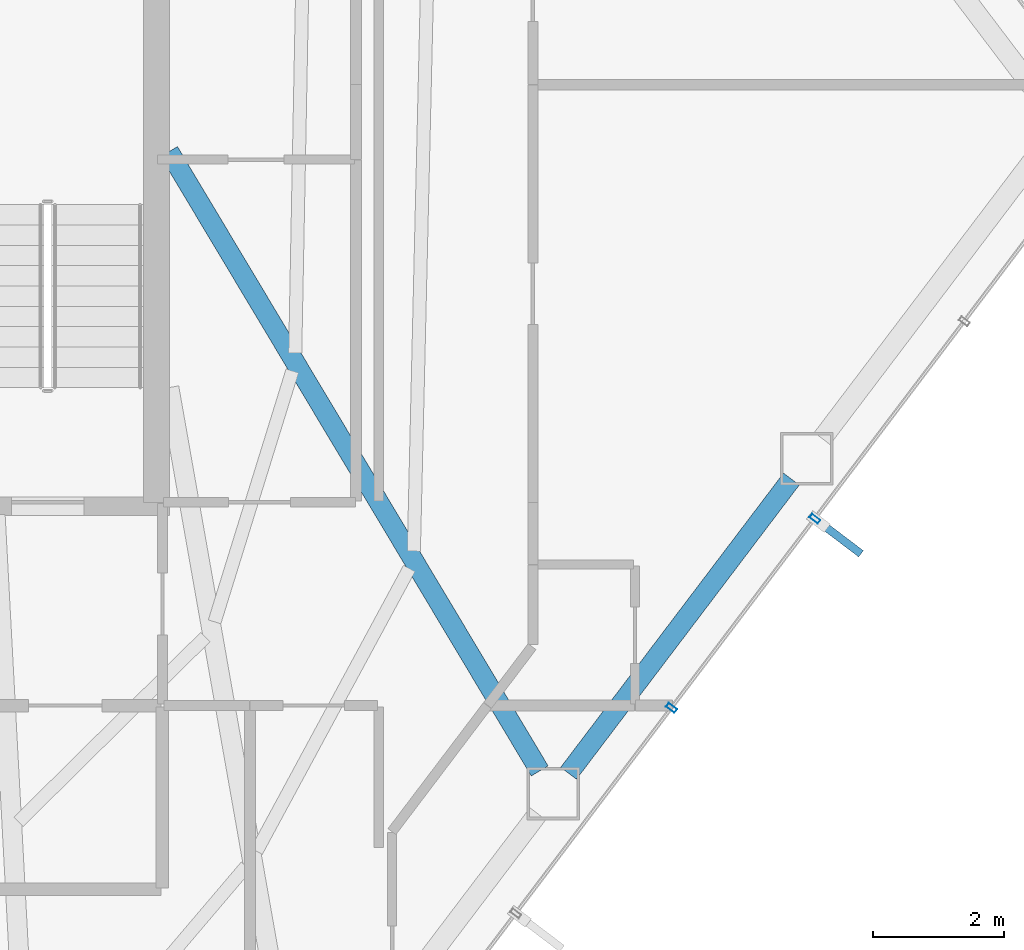
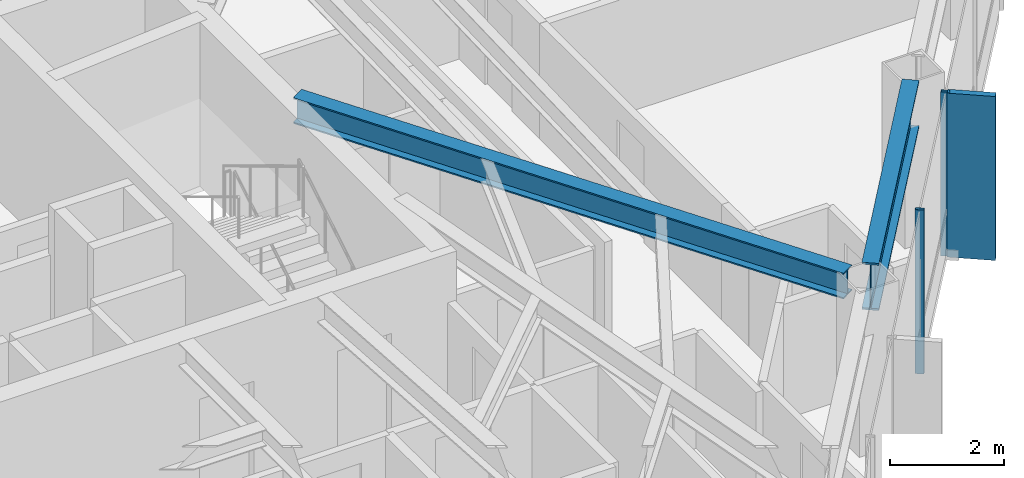
# One storey, part 19 of 29: 3 members, 2 beams, 1 element without a shape of its own.
"""IFC4 building model written with IfcOpenShell, lengths in metres."""

from ifc_helpers import new_model, si_unit, direction, frame, origin, origin_2d, place, context, subcontext, project, spatial, rectangle, hollow_rectangle, i_section, extrude, material, layer, layer_set, material_profile, profile_set, type_object, element, aggregate, save


model = new_model("IFC4")

# Units and contexts
model_context = context("Model", 3, precision=1e-05, world=origin(), true_north=direction((0.0, 1.0)))
body_context = subcontext(model_context, "Body", "Model", "MODEL_VIEW")
ifc_project = project(units=[si_unit("LENGTHUNIT", "METRE"), si_unit("AREAUNIT", "SQUARE_METRE"), si_unit("VOLUMEUNIT", "CUBIC_METRE"), si_unit("PLANEANGLEUNIT", "RADIAN"), si_unit("MASSUNIT", "GRAM", prefix="KILO")], contexts=[model_context])

# Site, building, storey
site_placement = place(None, origin())
site = spatial("IfcSite", under=ifc_project, at=site_placement, CompositionType="ELEMENT")
building_placement = place(site_placement, origin())
building = spatial("IfcBuilding", under=site, at=building_placement, Name="Zarrinselat Tower", CompositionType="ELEMENT")
storey_placement = place(building_placement, frame((0.0, 0.0, 138.3798828125)))
storey = spatial("IfcBuildingStorey", under=building, at=storey_placement, Name="L33", CompositionType="ELEMENT", Elevation=138.3798828125)

# Beams
ifc_material_1 = material(Name="Steel S355J2", Category="steel")
ifc_material_profile_1 = material_profile(ifc_material_1, i_section(OverallWidth=0.300048828125, OverallDepth=0.550048828125, WebThickness=0.014892578125, FlangeThickness=0.029052734375, at=origin_2d()), Name="HEB 550")
ifc_profile_set_1 = profile_set([ifc_material_profile_1], Name="Steel S355J2")
beam_type_1 = type_object("IfcBeamType", Name="BM-HEB550", PredefinedType="BEAM", material=ifc_profile_set_1)
beam_1_placement = place(storey_placement, frame((48.449951171875, 38.60009765625, 3.22509765625), z_axis=(0.513539974611, -0.858065670259, 0.0), x_axis=(0.858065670259, 0.513539974611, 0.0)))
element("IfcBeam", 1, at=beam_1_placement, inside=storey, type_object=beam_type_1, Name="L33 Radial Primary Girder RG13", PredefinedType="BEAM", context=body_context, shape_type="SweptSolid", body=[
    extrude(i_section(OverallWidth=0.300048828125, OverallDepth=0.550048828125, WebThickness=0.014892578125, FlangeThickness=0.029052734375, at=origin_2d()), origin(), (0.0, 0.0, 1.0), 11.010009765625),
])
ifc_material_2 = material(Name="Steel S460M", Category="steel")
ifc_material_profile_2 = material_profile(ifc_material_2, i_section(OverallWidth=0.302001953125, OverallDepth=1.008056640625, WebThickness=0.02099609375, FlangeThickness=0.0400390625, at=origin_2d()), Name="HEM 1000")
ifc_profile_set_2 = profile_set([ifc_material_profile_2], Name="Steel S460M")
beam_type_2 = type_object("IfcBeamType", Name="BM-HEM1000", PredefinedType="BEAM", material=ifc_profile_set_2)
beam_2_placement = place(storey_placement, frame((54.544677734375, 29.1171875, 2.99609375), z_axis=(0.603830134702, 0.797113021112, 0.0), x_axis=(-0.797113021112, 0.603830134702, 0.0)))
element("IfcBeam", 2, at=beam_2_placement, inside=storey, type_object=beam_type_2, Name="L33 Perimeter Spandrel Girder SP13", PredefinedType="BEAM", context=body_context, shape_type="SweptSolid", body=[
    extrude(i_section(OverallWidth=0.302001953125, OverallDepth=1.008056640625, WebThickness=0.02099609375, FlangeThickness=0.0400390625, at=origin_2d()), origin(), (0.0, 0.0, 1.0), 5.629638671875),
])

# Curtain wall, members
ifc_material_3 = material(Name="Extruded Aluminium Alloy EN AW-6063 T6", Category="aluminium")
ifc_layer = layer(ifc_material_3, 0.175048828125)
ifc_layer_set = layer_set([ifc_layer], Name="Extruded Aluminium Alloy EN AW-6063 T6")
curtain_wall_type = type_object("IfcCurtainWallType", Name="CWS-HTL", PredefinedType="NOTDEFINED", material=ifc_layer_set)
curtain_wall_placement = place(storey_placement, origin())
curtain_wall = element("IfcCurtainWall", 3, at=curtain_wall_placement, inside=storey, type_object=curtain_wall_type, Name="L33 Unitised Curtain Wall CW-L33-E05", PredefinedType="NOTDEFINED")
ifc_material_4 = material(Name="Extruded Aluminium Alloy EN AW-6063 T6", Category="aluminium")
ifc_material_profile_3 = material_profile(ifc_material_4, hollow_rectangle(XDim=0.070068359375, YDim=0.159912109375, WallThickness=0.00390625, at=origin_2d()), Name="RHS 160x70x4")
ifc_profile_set_3 = profile_set([ifc_material_profile_3], Name="Extruded Aluminium Alloy EN AW-6063 T6")
member_type_1 = type_object("IfcMemberType", Name="MEM-CW-MUL2", PredefinedType="MULLION", material=ifc_profile_set_3)
member_1_placement = place(storey_placement, frame((56.114990234375, 30.11376953125, 0.0), z_axis=(0.0, 0.0, 1.0), x_axis=(0.603855794642, 0.797093582509, 0.0)))
member_1 = element("IfcMember", 4, at=member_1_placement, type_object=member_type_1, Name="CW-L33-E05 Mullion 6", PredefinedType="MULLION", context=body_context, shape_type="SweptSolid", body=[
    extrude(hollow_rectangle(XDim=0.070068359375, YDim=0.159912109375, WallThickness=0.00390625, at=origin_2d()), origin(), (0.0, 0.0, 1.0), 3.5),
])
member_2_placement = place(storey_placement, frame((58.30078125, 32.998779296875, 0.0), z_axis=(0.0, 0.0, 1.0), x_axis=(0.603855794642, 0.797093582509, 0.0)))
member_2 = element("IfcMember", 5, at=member_2_placement, type_object=member_type_1, Name="CW-L33-E05 Mullion 7", PredefinedType="MULLION", context=body_context, shape_type="SweptSolid", body=[
    extrude(hollow_rectangle(XDim=0.070068359375, YDim=0.159912109375, WallThickness=0.00390625, at=origin_2d()), origin(), (0.0, 0.0, 1.0), 3.5),
])
ifc_material_5 = material(Name="Honed Cream Travertine Stone", Category="masonry")
ifc_material_profile_4 = material_profile(ifc_material_5, rectangle(XDim=0.1201171875, YDim=0.85009765625, at=origin_2d()), Name="FIN 850x120")
ifc_profile_set_4 = profile_set([ifc_material_profile_4], Name="Honed Cream Travertine Stone")
member_type_2 = type_object("IfcMemberType", Name="MEM-STONE-FIN", PredefinedType="USERDEFINED", material=ifc_profile_set_4)
member_3_placement = place(storey_placement, frame((58.66748046875, 32.72119140625, 0.0), z_axis=(0.0, 0.0, 1.0), x_axis=(-0.603855794642, -0.797093582509, 0.0)))
member_3 = element("IfcMember", 6, at=member_3_placement, type_object=member_type_2, Name="L33 Stone Shading Fin CW-L33-E05-07", ObjectType="FIN", PredefinedType="USERDEFINED", context=body_context, shape_type="SweptSolid", body=[
    extrude(rectangle(XDim=0.1201171875, YDim=0.85009765625, at=origin_2d()), origin(), (0.0, 0.0, 1.0), 3.5),
])
aggregate(curtain_wall, [member_1, member_2, member_3])

save(model, "model.ifc")
